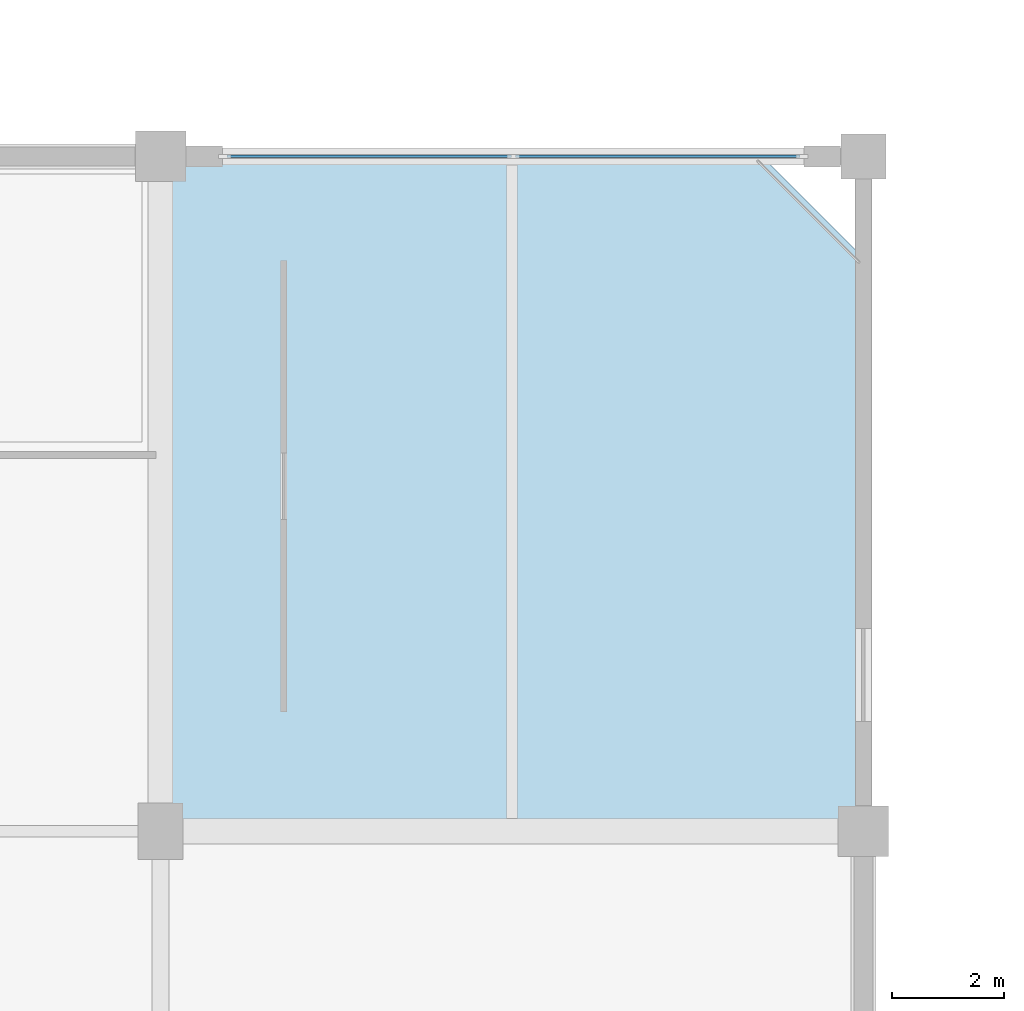
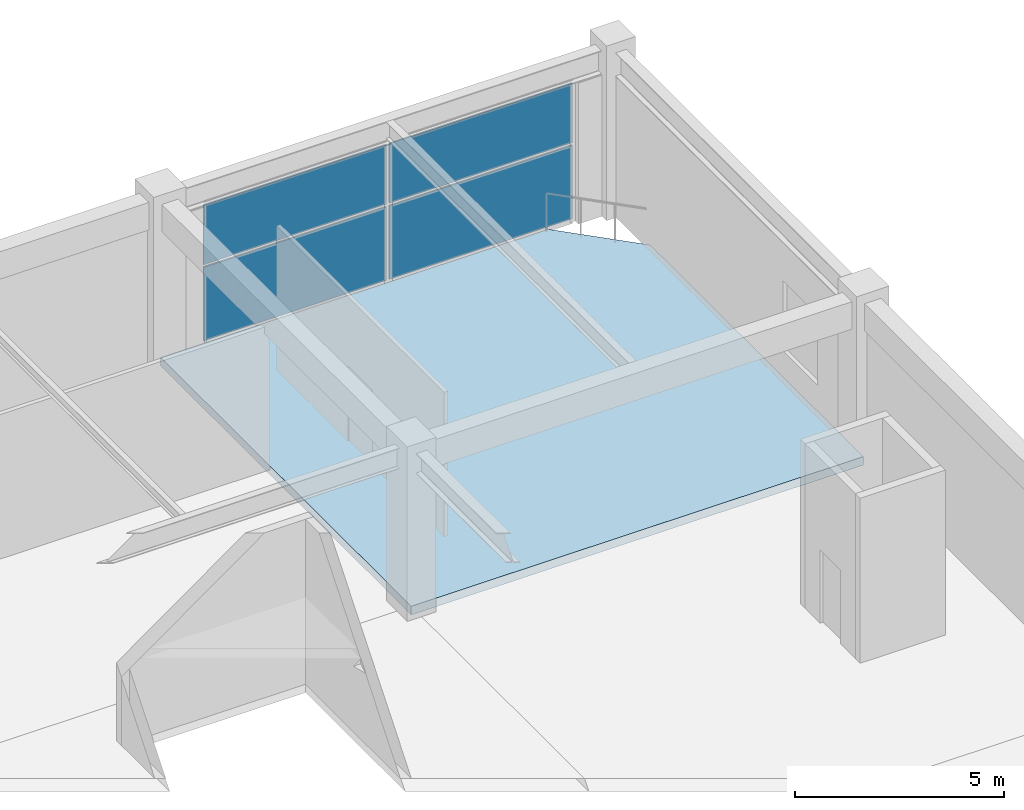
# One storey, part 61 of 116: 4 plates, 1 slab, 1 element without a shape of its own.
"""IFC4 building model written with IfcOpenShell, lengths in metres."""

from ifc_helpers import new_model, si_unit, direction, frame, origin, origin_2d, place, context, subcontext, project, spatial, polyline, rectangle, outline, extrude, material, layer, layer_set, type_object, element, aggregate, save


model = new_model("IFC4")

# Units and contexts
model_context = context("Model", 3, precision=1e-05, world=origin(), true_north=direction((0.0, 1.0)))
body_context = subcontext(model_context, "Body", "Model", "MODEL_VIEW")
ifc_project = project(units=[si_unit("LENGTHUNIT", "METRE"), si_unit("AREAUNIT", "SQUARE_METRE"), si_unit("VOLUMEUNIT", "CUBIC_METRE"), si_unit("PLANEANGLEUNIT", "RADIAN"), si_unit("MASSUNIT", "GRAM", prefix="KILO")], contexts=[model_context])

# Site, building, storey
site_placement = place(None, origin())
site = spatial("IfcSite", under=ifc_project, at=site_placement, CompositionType="ELEMENT")
building_placement = place(site_placement, origin())
building = spatial("IfcBuilding", under=site, at=building_placement, Name="Kazenohara Klinker Stadium", CompositionType="ELEMENT")
storey_placement = place(building_placement, frame((0.0, 0.0, 10.199951171875)))
storey = spatial("IfcBuildingStorey", under=building, at=storey_placement, Name="L02", CompositionType="ELEMENT", Elevation=10.199951171875)

# Curtain wall, plates
ifc_material_1 = material(Name="Anodised aluminium and triple glazing", Category="aluminium")
ifc_layer_1 = layer(ifc_material_1, 0.169921875)
ifc_layer_set_1 = layer_set([ifc_layer_1], Name="Anodised aluminium and triple glazing")
curtain_wall_type = type_object("IfcCurtainWallType", Name="CW-SYS-04", PredefinedType="USERDEFINED", material=ifc_layer_set_1)
curtain_wall_placement = place(storey_placement, origin())
curtain_wall = element("IfcCurtainWall", 1, at=curtain_wall_placement, inside=storey, type_object=curtain_wall_type, Name="Unitised facade curtain wall CW04 L02 X15-13", ObjectType="UNITISED CURTAIN WALL", PredefinedType="USERDEFINED")
ifc_material_2 = material(Name="Low-e laminated triple glazing", Category="glass")
ifc_layer_2 = layer(ifc_material_2, 0.0439453125)
ifc_layer_set_2 = layer_set([ifc_layer_2], Name="Low-e laminated triple glazing")
plate_type = type_object("IfcPlateType", Name="CW-PNL-44", PredefinedType="CURTAIN_PANEL", material=ifc_layer_set_2)
plate_1_placement = place(storey_placement, frame((191.208251953125, 156.0, 0.0751953125), z_axis=(0.0, 0.0, 1.0), x_axis=(1.0, 0.0, 0.0)))
plate_1 = element("IfcPlate", 2, at=plate_1_placement, type_object=plate_type, Name="CW04 panel 1.1", PredefinedType="CURTAIN_PANEL", context=body_context, shape_type="SweptSolid", body=[
    extrude(rectangle(XDim=5.05859375, YDim=0.0439453125, at=origin_2d()), origin(), (0.0, 0.0, 1.0), 2.153564453125),
])
plate_2_placement = place(storey_placement, frame((191.208251953125, 156.0, 2.3037109375), z_axis=(0.0, 0.0, 1.0), x_axis=(1.0, 0.0, 0.0)))
plate_2 = element("IfcPlate", 3, at=plate_2_placement, type_object=plate_type, Name="CW04 panel 1.2", PredefinedType="CURTAIN_PANEL", context=body_context, shape_type="SweptSolid", body=[
    extrude(rectangle(XDim=5.05859375, YDim=0.0439453125, at=origin_2d()), origin(), (0.0, 0.0, 1.0), 1.741455078125),
])
plate_3_placement = place(storey_placement, frame((196.341796875, 156.0, 0.0751953125), z_axis=(0.0, 0.0, 1.0), x_axis=(1.0, 0.0, 0.0)))
plate_3 = element("IfcPlate", 4, at=plate_3_placement, type_object=plate_type, Name="CW04 panel 2.1", PredefinedType="CURTAIN_PANEL", context=body_context, shape_type="SweptSolid", body=[
    extrude(rectangle(XDim=5.05859375, YDim=0.0439453125, at=origin_2d()), origin(), (0.0, 0.0, 1.0), 2.153564453125),
])
plate_4_placement = place(storey_placement, frame((196.341796875, 156.0, 2.3037109375), z_axis=(0.0, 0.0, 1.0), x_axis=(1.0, 0.0, 0.0)))
plate_4 = element("IfcPlate", 5, at=plate_4_placement, type_object=plate_type, Name="CW04 panel 2.2", PredefinedType="CURTAIN_PANEL", context=body_context, shape_type="SweptSolid", body=[
    extrude(rectangle(XDim=5.05859375, YDim=0.0439453125, at=origin_2d()), origin(), (0.0, 0.0, 1.0), 1.741455078125),
])
aggregate(curtain_wall, [plate_1, plate_2, plate_3, plate_4])

# Slab
ifc_material_3 = material(Name="Concrete C40/50", Category="concrete")
ifc_layer_3 = layer(ifc_material_3, 0.25)
ifc_layer_set_3 = layer_set([ifc_layer_3], Name="Concrete C40/50")
slab_type = type_object("IfcSlabType", Name="SLB-FLR-250", PredefinedType="FLOOR", material=ifc_layer_set_3)
slab_placement = place(storey_placement, frame((0.0, 0.0, -0.25)))
element("IfcSlab", 6, at=slab_placement, inside=storey, type_object=slab_type, Name="Floor slab FS03 L02 16/N", PredefinedType="FLOOR", context=body_context, shape_type="SweptSolid", body=[
    extrude(outline(polyline([(187.5, 144.0), (200.0, 144.0), (200.0, 154.199951171875), (198.199951171875, 156.0), (187.5, 156.0), (187.5, 144.0)])), origin(), (0.0, 0.0, 1.0), 0.25),
])

save(model, "model.ifc")
